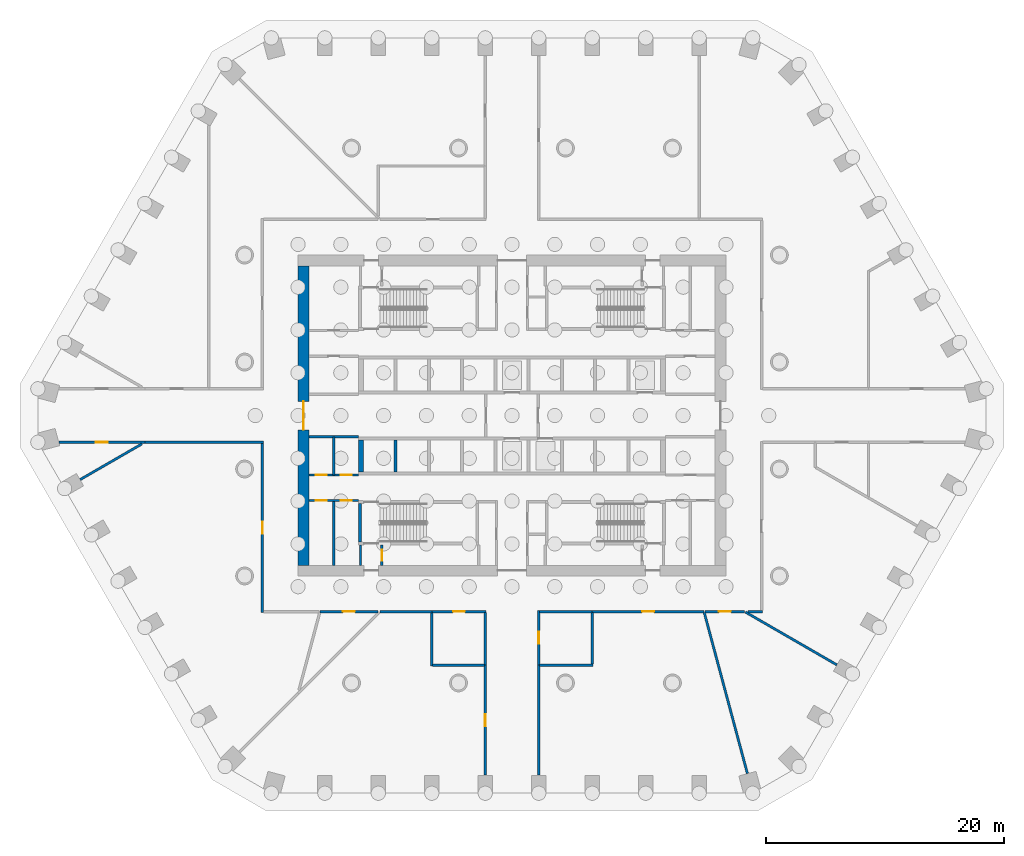
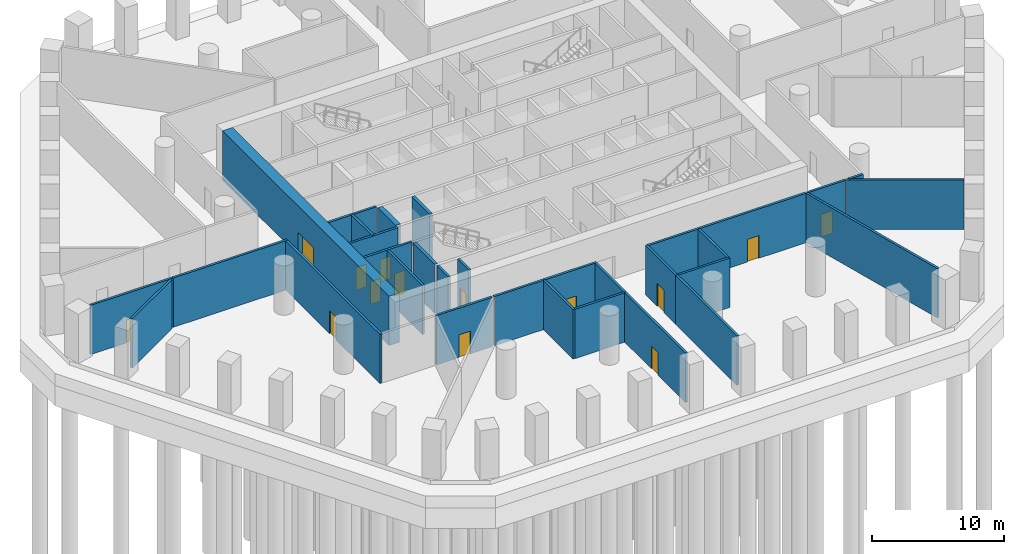
# One storey, part 3 of 9: 32 walls, 14 doors, 14 openings.
"""IFC4 building model written with IfcOpenShell, lengths in metres."""

from ifc_helpers import new_model, si_unit, direction, frame, frame_2d, origin, place, context, subcontext, project, spatial, polyline, rectangle, outline, extrude, material, layer, layer_set, type_object, element, fill, save


model = new_model("IFC4")

# Units and contexts
model_context = context("Model", 3, precision=1e-05, world=origin(), true_north=direction((0.0, 1.0)))
body_context = subcontext(model_context, "Body", "Model", "MODEL_VIEW")
ifc_project = project(units=[si_unit("LENGTHUNIT", "METRE"), si_unit("AREAUNIT", "SQUARE_METRE"), si_unit("VOLUMEUNIT", "CUBIC_METRE"), si_unit("PLANEANGLEUNIT", "RADIAN"), si_unit("MASSUNIT", "GRAM", prefix="KILO")], contexts=[model_context])

# Site, building, storey
site_placement = place(None, origin())
site = spatial("IfcSite", under=ifc_project, at=site_placement, CompositionType="ELEMENT")
building_placement = place(site_placement, origin())
building = spatial("IfcBuilding", under=site, at=building_placement, Name="Dhurran Vertical Campus", CompositionType="ELEMENT")
storey_placement = place(building_placement, frame((0.0, 0.0, -5.0)))
storey = spatial("IfcBuildingStorey", under=building, at=storey_placement, Name="B1", CompositionType="ELEMENT", Elevation=-5.0)

# Wall, opening, door
ifc_material_1 = material(Name="Concrete blockwork plant room wall, fire-rated", Category="masonry")
ifc_layer_1 = layer(ifc_material_1, 0.199951171875)
ifc_layer_set_1 = layer_set([ifc_layer_1], Name="Concrete blockwork plant room wall, fire-rated")
wall_type_1 = type_object("IfcWallType", Name="bs-PW-200 plant room wall", PredefinedType="PARTITIONING", material=ifc_layer_set_1)
wall_1_placement = place(storey_placement, frame((-30.89697265625, -2.25, 0.0), z_axis=(0.0, 0.0, 1.0), x_axis=(-1.0, 0.0, 0.0)))
wall_1 = element("IfcWall", 1, at=wall_1_placement, inside=storey, type_object=wall_type_1, Name="Plant wall B1-01", PredefinedType="PARTITIONING", context=body_context, shape_type="SweptSolid", body=[
    extrude(rectangle(XDim=7.218505859375, YDim=0.199951171875, at=frame_2d((3.609375, 0.0))), origin(), (0.0, 0.0, 1.0), 4.550048828125),
])
opening_1_placement = place(wall_1_placement, frame((3.109130859375, 0.0, 0.0)))
opening_1 = element("IfcOpeningElement", 2, at=opening_1_placement, cuts=wall_1, Name="Opening BS.01", PredefinedType="OPENING", context=body_context, shape_type="SweptSolid", body=[
    extrude(rectangle(XDim=1.0, YDim=2.10009765625, at=frame_2d((0.5, 1.050048828125))), frame((0.0, 0.10986328125, 0.0), z_axis=(0.0, -1.0, 0.0), x_axis=(1.0, 0.0, 0.0)), (0.0, 0.0, 1.0), 0.219970703125),
])
ifc_material_2 = material(Name="Solid-core timber door set, fire-rated", Category="wood")
door_type_1 = type_object("IfcDoorType", Name="fl-D-1000x2100", OperationType="SINGLE_SWING_LEFT", PredefinedType="DOOR", material=ifc_material_2)
door_1_placement = place(opening_1_placement, origin())
door_1 = element("IfcDoor", 3, at=door_1_placement, inside=storey, type_object=door_type_1, Name="Door B1.01", OperationType="SINGLE_SWING_RIGHT", OverallHeight=2.10009765625, OverallWidth=1.0, PredefinedType="DOOR", context=body_context, shape_type="SweptSolid", body=[
    extrude(rectangle(XDim=1.0, YDim=2.10009765625, at=frame_2d((0.5, 1.050048828125))), frame((0.0, 0.02490234375, 0.0), z_axis=(0.0, -1.0, 0.0), x_axis=(1.0, 0.0, 0.0)), (0.0, 0.0, 1.0), 0.050048828125),
])
fill(opening_1, door_1)

# Walls
wall_2_placement = place(storey_placement, frame((-31.13525390625, -2.387451171875, 0.0), z_axis=(0.0, 0.0, 1.0), x_axis=(-0.866018198007, -0.500012480565, 0.0)))
element("IfcWall", 4, at=wall_2_placement, inside=storey, type_object=wall_type_1, Name="Plant wall B1-03", PredefinedType="PARTITIONING", context=body_context, shape_type="SweptSolid", body=[
    extrude(rectangle(XDim=5.999267578125, YDim=0.199951171875, at=frame_2d((2.99951171875, 0.0))), origin(), (0.0, 0.0, 1.0), 4.550048828125),
])
wall_3_placement = place(storey_placement, frame((-20.925048828125, -2.25, 0.0), z_axis=(0.0, 0.0, 1.0), x_axis=(-1.0, 0.0, 0.0)))
element("IfcWall", 5, at=wall_3_placement, inside=storey, type_object=wall_type_1, Name="Plant wall B1-05", PredefinedType="PARTITIONING", context=body_context, shape_type="SweptSolid", body=[
    extrude(rectangle(XDim=9.971923828125, YDim=0.199951171875, at=frame_2d((4.98583984375, 0.0))), origin(), (0.0, 0.0, 1.0), 4.550048828125),
])

# Wall, opening, door
wall_4_placement = place(storey_placement, frame((-21.0, -2.324951171875, 0.0), z_axis=(0.0, 0.0, 1.0), x_axis=(0.0, -1.0, 0.0)))
wall_4 = element("IfcWall", 6, at=wall_4_placement, inside=storey, type_object=wall_type_1, Name="Plant wall B1-11", PredefinedType="PARTITIONING", context=body_context, shape_type="SweptSolid", body=[
    extrude(rectangle(XDim=14.25, YDim=0.199951171875, at=frame_2d((7.125, 0.0))), origin(), (0.0, 0.0, 1.0), 4.550048828125),
])
opening_2_placement = place(wall_4_placement, frame((6.625, 0.0, 0.0)))
opening_2 = element("IfcOpeningElement", 7, at=opening_2_placement, cuts=wall_4, Name="Opening BS.04", PredefinedType="OPENING", context=body_context, shape_type="SweptSolid", body=[
    extrude(rectangle(XDim=1.0, YDim=2.10009765625, at=frame_2d((0.5, 1.050048828125))), frame((0.0, 0.10986328125, 0.0), z_axis=(0.0, -1.0, 0.0), x_axis=(1.0, 0.0, 0.0)), (0.0, 0.0, 1.0), 0.219970703125),
])
door_2_placement = place(opening_2_placement, origin())
door_2 = element("IfcDoor", 8, at=door_2_placement, inside=storey, type_object=door_type_1, Name="Door B1.04", OperationType="SINGLE_SWING_RIGHT", OverallHeight=2.10009765625, OverallWidth=1.0, PredefinedType="DOOR", context=body_context, shape_type="SweptSolid", body=[
    extrude(rectangle(XDim=1.0, YDim=2.10009765625, at=frame_2d((0.5, 1.050048828125))), frame((0.0, 0.02490234375, 0.0), z_axis=(0.0, -1.0, 0.0), x_axis=(1.0, 0.0, 0.0)), (0.0, 0.0, 1.0), 0.050048828125),
])
fill(opening_2, door_2)

wall_5_placement = place(storey_placement, frame((-16.156005859375, -16.5, 0.0), z_axis=(0.0, 0.0, 1.0), x_axis=(1.0, 0.0, 0.0)))
wall_5 = element("IfcWall", 9, at=wall_5_placement, inside=storey, type_object=wall_type_1, Name="Plant wall B1-17", PredefinedType="PARTITIONING", context=body_context, shape_type="SweptSolid", body=[
    extrude(rectangle(XDim=4.864013671875, YDim=0.199951171875, at=frame_2d((2.43212890625, 0.0))), origin(), (0.0, 0.0, 1.0), 4.550048828125),
])
opening_3_placement = place(wall_5_placement, frame((1.931884765625, 0.0, 0.0)))
opening_3 = element("IfcOpeningElement", 10, at=opening_3_placement, cuts=wall_5, Name="Opening BS.06", PredefinedType="OPENING", context=body_context, shape_type="SweptSolid", body=[
    extrude(rectangle(XDim=1.0, YDim=2.10009765625, at=frame_2d((0.5, 1.050048828125))), frame((0.0, 0.10986328125, 0.0), z_axis=(0.0, -1.0, 0.0), x_axis=(1.0, 0.0, 0.0)), (0.0, 0.0, 1.0), 0.219970703125),
])
door_3_placement = place(opening_3_placement, origin())
door_3 = element("IfcDoor", 11, at=door_3_placement, inside=storey, type_object=door_type_1, Name="Door B1.06", OperationType="SINGLE_SWING_RIGHT", OverallHeight=2.10009765625, OverallWidth=1.0, PredefinedType="DOOR", context=body_context, shape_type="SweptSolid", body=[
    extrude(rectangle(XDim=1.0, YDim=2.10009765625, at=frame_2d((0.5, 1.050048828125))), frame((0.0, 0.02490234375, 0.0), z_axis=(0.0, -1.0, 0.0), x_axis=(1.0, 0.0, 0.0)), (0.0, 0.0, 1.0), 0.050048828125),
])
fill(opening_3, door_3)

# Walls
wall_6_placement = place(storey_placement, frame((-11.116943359375, -16.5, 0.0), z_axis=(0.0, 0.0, 1.0), x_axis=(1.0, 0.0, 0.0)))
element("IfcWall", 12, at=wall_6_placement, inside=storey, type_object=wall_type_1, Name="Plant wall B1-20", PredefinedType="PARTITIONING", context=body_context, shape_type="SweptSolid", body=[
    extrude(rectangle(XDim=4.366943359375, YDim=0.199951171875, at=frame_2d((2.18359375, 0.0))), origin(), (0.0, 0.0, 1.0), 4.550048828125),
])
wall_7_placement = place(storey_placement, frame((-6.75, -16.574951171875, 0.0), z_axis=(0.0, 0.0, 1.0), x_axis=(0.0, -1.0, 0.0)))
element("IfcWall", 13, at=wall_7_placement, inside=storey, type_object=wall_type_1, Name="Plant wall B1-22", PredefinedType="PARTITIONING", context=body_context, shape_type="SweptSolid", body=[
    extrude(rectangle(XDim=4.5, YDim=0.199951171875, at=frame_2d((2.25, 0.0))), origin(), (0.0, 0.0, 1.0), 4.550048828125),
])
wall_8_placement = place(storey_placement, frame((-6.675048828125, -21.0, 0.0), z_axis=(0.0, 0.0, 1.0), x_axis=(1.0, 0.0, 0.0)))
element("IfcWall", 14, at=wall_8_placement, inside=storey, type_object=wall_type_1, Name="Plant wall B1-23", PredefinedType="PARTITIONING", context=body_context, shape_type="SweptSolid", body=[
    extrude(rectangle(XDim=4.35009765625, YDim=0.199951171875, at=frame_2d((2.175048828125, 0.0))), origin(), (0.0, 0.0, 1.0), 4.550048828125),
])

# Wall, opening, door
wall_9_placement = place(storey_placement, frame((-6.75, -16.5, 0.0), z_axis=(0.0, 0.0, 1.0), x_axis=(1.0, 0.0, 0.0)))
wall_9 = element("IfcWall", 15, at=wall_9_placement, inside=storey, type_object=wall_type_1, Name="Plant wall B1-24", PredefinedType="PARTITIONING", context=body_context, shape_type="SweptSolid", body=[
    extrude(rectangle(XDim=4.574951171875, YDim=0.199951171875, at=frame_2d((2.28759765625, 0.0))), origin(), (0.0, 0.0, 1.0), 4.550048828125),
])
opening_4_placement = place(wall_9_placement, frame((1.78759765625, 0.0, 0.0)))
opening_4 = element("IfcOpeningElement", 16, at=opening_4_placement, cuts=wall_9, Name="Opening BS.10", PredefinedType="OPENING", context=body_context, shape_type="SweptSolid", body=[
    extrude(rectangle(XDim=1.0, YDim=2.10009765625, at=frame_2d((0.5, 1.050048828125))), frame((0.0, 0.10986328125, 0.0), z_axis=(0.0, -1.0, 0.0), x_axis=(1.0, 0.0, 0.0)), (0.0, 0.0, 1.0), 0.219970703125),
])
door_4_placement = place(opening_4_placement, origin())
door_4 = element("IfcDoor", 17, at=door_4_placement, inside=storey, type_object=door_type_1, Name="Door B1.10", OperationType="SINGLE_SWING_LEFT", OverallHeight=2.10009765625, OverallWidth=1.0, PredefinedType="DOOR", context=body_context, shape_type="SweptSolid", body=[
    extrude(rectangle(XDim=1.0, YDim=2.10009765625, at=frame_2d((0.5, 1.050048828125))), frame((0.0, 0.02490234375, 0.0), z_axis=(0.0, -1.0, 0.0), x_axis=(1.0, 0.0, 0.0)), (0.0, 0.0, 1.0), 0.050048828125),
])
fill(opening_4, door_4)

wall_10_placement = place(storey_placement, frame((-2.25, -30.259765625, 0.0), z_axis=(0.0, 0.0, 1.0), x_axis=(0.0, 1.0, 0.0)))
wall_10 = element("IfcWall", 18, at=wall_10_placement, inside=storey, type_object=wall_type_1, Name="Plant wall B1-25", PredefinedType="PARTITIONING", context=body_context, shape_type="SweptSolid", body=[
    extrude(rectangle(XDim=9.259765625, YDim=0.199951171875, at=frame_2d((4.6298828125, 0.0))), origin(), (0.0, 0.0, 1.0), 4.550048828125),
])
opening_5_placement = place(wall_10_placement, frame((4.1298828125, 0.0, 0.0)))
opening_5 = element("IfcOpeningElement", 19, at=opening_5_placement, cuts=wall_10, Name="Opening BS.08", PredefinedType="OPENING", context=body_context, shape_type="SweptSolid", body=[
    extrude(rectangle(XDim=1.0, YDim=2.10009765625, at=frame_2d((0.5, 1.050048828125))), frame((0.0, 0.10986328125, 0.0), z_axis=(0.0, -1.0, 0.0), x_axis=(1.0, 0.0, 0.0)), (0.0, 0.0, 1.0), 0.219970703125),
])
door_5_placement = place(opening_5_placement, origin())
door_5 = element("IfcDoor", 20, at=door_5_placement, inside=storey, type_object=door_type_1, Name="Door B1.08", OperationType="SINGLE_SWING_LEFT", OverallHeight=2.10009765625, OverallWidth=1.0, PredefinedType="DOOR", context=body_context, shape_type="SweptSolid", body=[
    extrude(rectangle(XDim=1.0, YDim=2.10009765625, at=frame_2d((0.5, 1.050048828125))), frame((0.0, 0.02490234375, 0.0), z_axis=(0.0, -1.0, 0.0), x_axis=(1.0, 0.0, 0.0)), (0.0, 0.0, 1.0), 0.050048828125),
])
fill(opening_5, door_5)

# Walls
wall_11_placement = place(storey_placement, frame((-2.25, -21.0, 0.0), z_axis=(0.0, 0.0, 1.0), x_axis=(0.0, 1.0, 0.0)))
element("IfcWall", 21, at=wall_11_placement, inside=storey, type_object=wall_type_1, Name="Plant wall B1-26", PredefinedType="PARTITIONING", context=body_context, shape_type="SweptSolid", body=[
    extrude(rectangle(XDim=4.425048828125, YDim=0.199951171875, at=frame_2d((2.21240234375, 0.0))), origin(), (0.0, 0.0, 1.0), 4.550048828125),
])
wall_12_placement = place(storey_placement, frame((2.25, -21.0, 0.0), z_axis=(0.0, 0.0, 1.0), x_axis=(0.0, -1.0, 0.0)))
element("IfcWall", 22, at=wall_12_placement, inside=storey, type_object=wall_type_1, Name="Plant wall B1-29", PredefinedType="PARTITIONING", context=body_context, shape_type="SweptSolid", body=[
    extrude(rectangle(XDim=9.259765625, YDim=0.199951171875, at=frame_2d((4.6298828125, 0.0))), origin(), (0.0, 0.0, 1.0), 4.550048828125),
])

# Wall, opening, door
wall_13_placement = place(storey_placement, frame((2.25, -16.425048828125, 0.0), z_axis=(0.0, 0.0, 1.0), x_axis=(0.0, -1.0, 0.0)))
wall_13 = element("IfcWall", 23, at=wall_13_placement, inside=storey, type_object=wall_type_1, Name="Plant wall B1-30", PredefinedType="PARTITIONING", context=body_context, shape_type="SweptSolid", body=[
    extrude(rectangle(XDim=4.574951171875, YDim=0.199951171875, at=frame_2d((2.28759765625, 0.0))), origin(), (0.0, 0.0, 1.0), 4.550048828125),
])
opening_6_placement = place(wall_13_placement, frame((1.78759765625, 0.0, 0.0)))
opening_6 = element("IfcOpeningElement", 24, at=opening_6_placement, cuts=wall_13, Name="Opening BS.11", PredefinedType="OPENING", context=body_context, shape_type="SweptSolid", body=[
    extrude(rectangle(XDim=1.0, YDim=2.10009765625, at=frame_2d((0.5, 1.050048828125))), frame((0.0, 0.10986328125, 0.0), z_axis=(0.0, -1.0, 0.0), x_axis=(1.0, 0.0, 0.0)), (0.0, 0.0, 1.0), 0.219970703125),
])
door_6_placement = place(opening_6_placement, origin())
door_6 = element("IfcDoor", 25, at=door_6_placement, inside=storey, type_object=door_type_1, Name="Door B1.11", OperationType="SINGLE_SWING_RIGHT", OverallHeight=2.10009765625, OverallWidth=1.0, PredefinedType="DOOR", context=body_context, shape_type="SweptSolid", body=[
    extrude(rectangle(XDim=1.0, YDim=2.10009765625, at=frame_2d((0.5, 1.050048828125))), frame((0.0, 0.02490234375, 0.0), z_axis=(0.0, -1.0, 0.0), x_axis=(1.0, 0.0, 0.0)), (0.0, 0.0, 1.0), 0.050048828125),
])
fill(opening_6, door_6)

# Walls
wall_14_placement = place(storey_placement, frame((6.824951171875, -21.0, 0.0), z_axis=(0.0, 0.0, 1.0), x_axis=(-1.0, 0.0, 0.0)))
element("IfcWall", 26, at=wall_14_placement, inside=storey, type_object=wall_type_1, Name="Plant wall B1-31", PredefinedType="PARTITIONING", context=body_context, shape_type="SweptSolid", body=[
    extrude(rectangle(XDim=4.5, YDim=0.199951171875, at=frame_2d((2.25, 0.0))), origin(), (0.0, 0.0, 1.0), 4.550048828125),
])
wall_15_placement = place(storey_placement, frame((2.324951171875, -16.5, 0.0), z_axis=(0.0, 0.0, 1.0), x_axis=(1.0, 0.0, 0.0)))
element("IfcWall", 27, at=wall_15_placement, inside=storey, type_object=wall_type_1, Name="Plant wall B1-32", PredefinedType="PARTITIONING", context=body_context, shape_type="SweptSolid", body=[
    extrude(rectangle(XDim=4.425048828125, YDim=0.199951171875, at=frame_2d((2.21240234375, 0.0))), origin(), (0.0, 0.0, 1.0), 4.550048828125),
])
wall_16_placement = place(storey_placement, frame((6.75, -16.574951171875, 0.0), z_axis=(0.0, 0.0, 1.0), x_axis=(0.0, -1.0, 0.0)))
element("IfcWall", 28, at=wall_16_placement, inside=storey, type_object=wall_type_1, Name="Plant wall B1-35", PredefinedType="PARTITIONING", context=body_context, shape_type="SweptSolid", body=[
    extrude(rectangle(XDim=4.35009765625, YDim=0.199951171875, at=frame_2d((2.175048828125, 0.0))), origin(), (0.0, 0.0, 1.0), 4.550048828125),
])

# Wall, opening, door
wall_17_placement = place(storey_placement, frame((6.75, -16.5, 0.0), z_axis=(0.0, 0.0, 1.0), x_axis=(1.0, 0.0, 0.0)))
wall_17 = element("IfcWall", 29, at=wall_17_placement, inside=storey, type_object=wall_type_1, Name="Plant wall B1-36", PredefinedType="PARTITIONING", context=body_context, shape_type="SweptSolid", body=[
    extrude(rectangle(XDim=9.406005859375, YDim=0.199951171875, at=frame_2d((4.703125, 0.0))), origin(), (0.0, 0.0, 1.0), 4.550048828125),
])
opening_7_placement = place(wall_17_placement, frame((4.202880859375, 0.0, 0.0)))
opening_7 = element("IfcOpeningElement", 30, at=opening_7_placement, cuts=wall_17, Name="Opening BS.13", PredefinedType="OPENING", context=body_context, shape_type="SweptSolid", body=[
    extrude(rectangle(XDim=1.0, YDim=2.10009765625, at=frame_2d((0.5, 1.050048828125))), frame((0.0, 0.10986328125, 0.0), z_axis=(0.0, -1.0, 0.0), x_axis=(1.0, 0.0, 0.0)), (0.0, 0.0, 1.0), 0.219970703125),
])
door_7_placement = place(opening_7_placement, origin())
door_7 = element("IfcDoor", 31, at=door_7_placement, inside=storey, type_object=door_type_1, Name="Door B1.13", OperationType="SINGLE_SWING_LEFT", OverallHeight=2.10009765625, OverallWidth=1.0, PredefinedType="DOOR", context=body_context, shape_type="SweptSolid", body=[
    extrude(rectangle(XDim=1.0, YDim=2.10009765625, at=frame_2d((0.5, 1.050048828125))), frame((0.0, 0.02490234375, 0.0), z_axis=(0.0, -1.0, 0.0), x_axis=(1.0, 0.0, 0.0)), (0.0, 0.0, 1.0), 0.050048828125),
])
fill(opening_7, door_7)

wall_18_placement = place(storey_placement, frame((16.2509765625, -16.5, 0.0), z_axis=(0.0, 0.0, 1.0), x_axis=(1.0, 0.0, 0.0)))
wall_18 = element("IfcWall", 32, at=wall_18_placement, inside=storey, type_object=wall_type_1, Name="Plant wall B1-39", PredefinedType="PARTITIONING", context=body_context, shape_type="SweptSolid", body=[
    extrude(rectangle(XDim=3.328125, YDim=0.199951171875, at=frame_2d((1.6640625, 0.0))), origin(), (0.0, 0.0, 1.0), 4.550048828125),
])
opening_8_placement = place(wall_18_placement, frame((1.1640625, 0.0, 0.0)))
opening_8 = element("IfcOpeningElement", 33, at=opening_8_placement, cuts=wall_18, Name="Opening BS.14", PredefinedType="OPENING", context=body_context, shape_type="SweptSolid", body=[
    extrude(rectangle(XDim=1.0, YDim=2.10009765625, at=frame_2d((0.5, 1.050048828125))), frame((0.0, 0.10986328125, 0.0), z_axis=(0.0, -1.0, 0.0), x_axis=(1.0, 0.0, 0.0)), (0.0, 0.0, 1.0), 0.219970703125),
])
door_8_placement = place(opening_8_placement, origin())
door_8 = element("IfcDoor", 34, at=door_8_placement, inside=storey, type_object=door_type_1, Name="Door B1.14", OperationType="SINGLE_SWING_RIGHT", OverallHeight=2.10009765625, OverallWidth=1.0, PredefinedType="DOOR", context=body_context, shape_type="SweptSolid", body=[
    extrude(rectangle(XDim=1.0, YDim=2.10009765625, at=frame_2d((0.5, 1.050048828125))), frame((0.0, 0.02490234375, 0.0), z_axis=(0.0, -1.0, 0.0), x_axis=(1.0, 0.0, 0.0)), (0.0, 0.0, 1.0), 0.050048828125),
])
fill(opening_8, door_8)

# Walls
wall_19_placement = place(storey_placement, frame((16.17529296875, -16.572509765625, 0.0), z_axis=(0.0, 0.0, 1.0), x_axis=(0.258838193525, -0.965920695281, 0.0)))
element("IfcWall", 35, at=wall_19_placement, inside=storey, type_object=wall_type_1, Name="Plant wall B1-40", PredefinedType="PARTITIONING", context=body_context, shape_type="SweptSolid", body=[
    extrude(rectangle(XDim=14.022705078125, YDim=0.199951171875, at=frame_2d((7.01123046875, 0.0))), origin(), (0.0, 0.0, 1.0), 4.550048828125),
])
wall_20_placement = place(storey_placement, frame((19.85400390625, -16.5, 0.0), z_axis=(0.0, 0.0, 1.0), x_axis=(1.0, 0.0, 0.0)))
element("IfcWall", 36, at=wall_20_placement, inside=storey, type_object=wall_type_1, Name="Plant wall B1-41", PredefinedType="PARTITIONING", context=body_context, shape_type="SweptSolid", body=[
    extrude(rectangle(XDim=1.220947265625, YDim=0.199951171875, at=frame_2d((0.6103515625, 0.0))), origin(), (0.0, 0.0, 1.0), 4.550048828125),
])
wall_21_placement = place(storey_placement, frame((19.643798828125, -16.53759765625, 0.0), z_axis=(0.0, 0.0, 1.0), x_axis=(0.866000072607, -0.50004387232, 0.0)))
element("IfcWall", 37, at=wall_21_placement, inside=storey, type_object=wall_type_1, Name="Plant wall B1-42", PredefinedType="PARTITIONING", context=body_context, shape_type="SweptSolid", body=[
    extrude(rectangle(XDim=8.876220703125, YDim=0.199951171875, at=frame_2d((4.43798828125, 0.0))), origin(), (0.0, 0.0, 1.0), 4.550048828125),
])

# Wall, opening, door
ifc_material_3 = material(Name="Concrete C60/75", Category="concrete")
ifc_layer_2 = layer(ifc_material_3, 0.89990234375)
ifc_layer_set_2 = layer_set([ifc_layer_2], Name="Concrete C60/75")
wall_type_2 = type_object("IfcWallType", Name="co-CORE-WALL-C0-900", PredefinedType="SHEAR", material=ifc_layer_set_2)
wall_22_placement = place(storey_placement, frame((-17.550048828125, -12.60009765625, 0.0), z_axis=(0.0, 0.0, 1.0), x_axis=(0.0, 1.0, 0.0)))
wall_22 = element("IfcWall", 38, at=wall_22_placement, inside=storey, type_object=wall_type_2, Name="Core wall W B1", PredefinedType="SHEAR", context=body_context, shape_type="SweptSolid", body=[
    extrude(rectangle(XDim=25.2001953125, YDim=0.89990234375, at=frame_2d((12.60009765625, 0.0))), origin(), (0.0, 0.0, 1.0), 4.550048828125),
])
opening_9_placement = place(wall_22_placement, frame((11.39990234375, 0.0, 0.0)))
opening_9 = element("IfcOpeningElement", 39, at=opening_9_placement, cuts=wall_22, Name="Opening CL1", PredefinedType="OPENING", context=body_context, shape_type="SweptSolid", body=[
    extrude(rectangle(XDim=2.39990234375, YDim=2.10009765625, at=frame_2d((1.199951171875, 1.050048828125))), frame((0.0, 0.4599609375, 0.0), z_axis=(0.0, -1.0, 0.0), x_axis=(1.0, 0.0, 0.0)), (0.0, 0.0, 1.0), 0.919921875),
])
ifc_material_4 = material(Name="Fire-rated glazed door set")
door_type_2 = type_object("IfcDoorType", Name="co-D-LOBBY 2400x2100", OperationType="DOUBLE_DOOR_DOUBLE_SWING", PredefinedType="DOOR", material=ifc_material_4)
door_9_placement = place(opening_9_placement, origin())
door_9 = element("IfcDoor", 40, at=door_9_placement, inside=storey, type_object=door_type_2, Name="Lift lobby door W B1", OperationType="DOUBLE_DOOR_DOUBLE_SWING", OverallHeight=2.10009765625, OverallWidth=2.39990234375, PredefinedType="DOOR", context=body_context, shape_type="SweptSolid", body=[
    extrude(rectangle(XDim=2.39990234375, YDim=2.10009765625, at=frame_2d((1.199951171875, 1.050048828125))), frame((0.0, 0.02490234375, 0.0), z_axis=(0.0, -1.0, 0.0), x_axis=(1.0, 0.0, 0.0)), (0.0, 0.0, 1.0), 0.050048828125),
])
fill(opening_9, door_9)

# Wall
ifc_material_5 = material(Name="Fire-rated masonry blockwork", Category="masonry")
ifc_layer_3 = layer(ifc_material_5, 0.199951171875)
ifc_layer_set_3 = layer_set([ifc_layer_3], Name="Fire-rated masonry blockwork")
wall_type_3 = type_object("IfcWallType", Name="co-FIRE-PARTITION-200", PredefinedType="PARTITIONING", material=ifc_layer_set_3)
wall_23_placement = place(storey_placement, frame((-12.75, -12.60009765625, 0.0), z_axis=(0.0, 0.0, 1.0), x_axis=(0.0, 1.0, 0.0)))
element("IfcWall", 41, at=wall_23_placement, inside=storey, type_object=wall_type_3, Name="Core partition pass-ST3-o B1", PredefinedType="PARTITIONING", context=body_context, shape_type="SweptSolid", body=[
    extrude(rectangle(XDim=1.7001953125, YDim=0.199951171875, at=frame_2d((0.85009765625, 0.0))), origin(), (0.0, 0.0, 1.0), 4.550048828125),
])

# Wall, opening, door
wall_24_placement = place(storey_placement, frame((-10.949951171875, -12.60009765625, 0.0), z_axis=(0.0, 0.0, 1.0), x_axis=(0.0, 1.0, 0.0)))
wall_24 = element("IfcWall", 42, at=wall_24_placement, inside=storey, type_object=wall_type_3, Name="Core partition pass-ST3-i B1", PredefinedType="PARTITIONING", context=body_context, shape_type="SweptSolid", body=[
    extrude(rectangle(XDim=1.7001953125, YDim=0.199951171875, at=frame_2d((0.85009765625, 0.0))), origin(), (0.0, 0.0, 1.0), 4.550048828125),
])
opening_10_placement = place(wall_24_placement, frame((0.39990234375, 0.0, 0.0)))
opening_10 = element("IfcOpeningElement", 43, at=opening_10_placement, cuts=wall_24, Name="Opening BSMT-C9", PredefinedType="OPENING", context=body_context, shape_type="SweptSolid", body=[
    extrude(rectangle(XDim=0.89990234375, YDim=2.10009765625, at=frame_2d((0.449951171875, 1.050048828125))), frame((0.0, 0.10986328125, 0.0), z_axis=(0.0, -1.0, 0.0), x_axis=(1.0, 0.0, 0.0)), (0.0, 0.0, 1.0), 0.219970703125),
])
ifc_material_6 = material(Name="Fire-rated timber door set", Category="wood")
door_type_3 = type_object("IfcDoorType", Name="co-D-ROOM 900x2100", OperationType="SINGLE_SWING_LEFT", PredefinedType="DOOR", material=ifc_material_6)
door_10_placement = place(opening_10_placement, origin())
door_10 = element("IfcDoor", 44, at=door_10_placement, inside=storey, type_object=door_type_3, Name="Riser room door B1", OperationType="SINGLE_SWING_LEFT", OverallHeight=2.10009765625, OverallWidth=0.89990234375, PredefinedType="DOOR", context=body_context, shape_type="SweptSolid", body=[
    extrude(rectangle(XDim=0.89990234375, YDim=2.10009765625, at=frame_2d((0.449951171875, 1.050048828125))), frame((0.0, 0.02490234375, 0.0), z_axis=(0.0, -1.0, 0.0), x_axis=(1.0, 0.0, 0.0)), (0.0, 0.0, 1.0), 0.050048828125),
])
fill(opening_10, door_10)

# Wall
wall_25_placement = place(storey_placement, frame((-15.0, -12.60009765625, 0.0), z_axis=(0.0, 0.0, 1.0), x_axis=(0.0, 1.0, 0.0)))
element("IfcWall", 45, at=wall_25_placement, inside=storey, type_object=wall_type_3, Name="Core partition en-SW-cut0 B1", PredefinedType="PARTITIONING", context=body_context, shape_type="SweptSolid", body=[
    extrude(rectangle(XDim=5.4501953125, YDim=0.199951171875, at=frame_2d((2.72509765625, 0.0))), origin(), (0.0, 0.0, 1.0), 4.550048828125),
])

# Wall, openings, doors
wall_26_placement = place(storey_placement, frame((-17.10009765625, -7.14990234375, 0.0), z_axis=(0.0, 0.0, 1.0), x_axis=(1.0, 0.0, 0.0)))
wall_26 = element("IfcWall", 46, at=wall_26_placement, inside=storey, type_object=wall_type_3, Name="Core partition en-SW-w B1", PredefinedType="PARTITIONING", context=body_context, shape_type="SweptSolid", body=[
    extrude(rectangle(XDim=4.2001953125, YDim=0.199951171875, at=frame_2d((2.10009765625, 0.0))), origin(), (0.0, 0.0, 1.0), 4.550048828125),
])
opening_11_placement = place(wall_26_placement, frame((0.60009765625, 0.0, 0.0)))
opening_11 = element("IfcOpeningElement", 47, at=opening_11_placement, cuts=wall_26, Name="Opening BSMT-C16", PredefinedType="OPENING", context=body_context, shape_type="SweptSolid", body=[
    extrude(rectangle(XDim=0.89990234375, YDim=2.10009765625, at=frame_2d((0.449951171875, 1.050048828125))), frame((0.0, 0.10986328125, 0.0), z_axis=(0.0, -1.0, 0.0), x_axis=(1.0, 0.0, 0.0)), (0.0, 0.0, 1.0), 0.219970703125),
])
opening_12_placement = place(wall_26_placement, frame((2.699951171875, 0.0, 0.0)))
opening_12 = element("IfcOpeningElement", 48, at=opening_12_placement, cuts=wall_26, Name="Opening BSMT-C17", PredefinedType="OPENING", context=body_context, shape_type="SweptSolid", body=[
    extrude(rectangle(XDim=0.89990234375, YDim=2.10009765625, at=frame_2d((0.449951171875, 1.050048828125))), frame((0.0, 0.10986328125, 0.0), z_axis=(0.0, -1.0, 0.0), x_axis=(1.0, 0.0, 0.0)), (0.0, 0.0, 1.0), 0.219970703125),
])
door_11_placement = place(opening_11_placement, origin())
door_11 = element("IfcDoor", 49, at=door_11_placement, inside=storey, type_object=door_type_3, Name="Server room door B1", OperationType="SINGLE_SWING_LEFT", OverallHeight=2.10009765625, OverallWidth=0.89990234375, PredefinedType="DOOR", context=body_context, shape_type="SweptSolid", body=[
    extrude(rectangle(XDim=0.89990234375, YDim=2.10009765625, at=frame_2d((0.449951171875, 1.050048828125))), frame((0.0, 0.02490234375, 0.0), z_axis=(0.0, -1.0, 0.0), x_axis=(1.0, 0.0, 0.0)), (0.0, 0.0, 1.0), 0.050048828125),
])
fill(opening_11, door_11)
door_12_placement = place(opening_12_placement, origin())
door_12 = element("IfcDoor", 50, at=door_12_placement, inside=storey, type_object=door_type_3, Name="Fire equipment store door B1", OperationType="SINGLE_SWING_LEFT", OverallHeight=2.10009765625, OverallWidth=0.89990234375, PredefinedType="DOOR", context=body_context, shape_type="SweptSolid", body=[
    extrude(rectangle(XDim=0.89990234375, YDim=2.10009765625, at=frame_2d((0.449951171875, 1.050048828125))), frame((0.0, 0.02490234375, 0.0), z_axis=(0.0, -1.0, 0.0), x_axis=(1.0, 0.0, 0.0)), (0.0, 0.0, 1.0), 0.050048828125),
])
fill(opening_12, door_12)

# Wall
wall_27_placement = place(storey_placement, frame((-15.0, -5.0, 0.0), z_axis=(0.0, 0.0, 1.0), x_axis=(0.0, 1.0, 0.0)))
element("IfcWall", 51, at=wall_27_placement, inside=storey, type_object=wall_type_3, Name="Core partition es-SW-cut0 B1", PredefinedType="PARTITIONING", context=body_context, shape_type="SweptSolid", body=[
    extrude(rectangle(XDim=3.199951171875, YDim=0.199951171875, at=frame_2d((1.60009765625, 0.0))), origin(), (0.0, 0.0, 1.0), 4.550048828125),
])

# Wall, openings, doors
wall_28_placement = place(storey_placement, frame((-17.10009765625, -5.0, 0.0), z_axis=(0.0, 0.0, 1.0), x_axis=(1.0, 0.0, 0.0)))
wall_28 = element("IfcWall", 52, at=wall_28_placement, inside=storey, type_object=wall_type_3, Name="Core partition es-SW-w B1", PredefinedType="PARTITIONING", context=body_context, shape_type="SweptSolid", body=[
    extrude(rectangle(XDim=4.2001953125, YDim=0.199951171875, at=frame_2d((2.10009765625, 0.0))), origin(), (0.0, 0.0, 1.0), 4.550048828125),
])
opening_13_placement = place(wall_28_placement, frame((0.60009765625, 0.0, 0.0)))
opening_13 = element("IfcOpeningElement", 53, at=opening_13_placement, cuts=wall_28, Name="Opening BSMT-C18", PredefinedType="OPENING", context=body_context, shape_type="SweptSolid", body=[
    extrude(rectangle(XDim=0.89990234375, YDim=2.10009765625, at=frame_2d((0.449951171875, 1.050048828125))), frame((0.0, 0.10986328125, 0.0), z_axis=(0.0, -1.0, 0.0), x_axis=(1.0, 0.0, 0.0)), (0.0, 0.0, 1.0), 0.219970703125),
])
opening_14_placement = place(wall_28_placement, frame((2.699951171875, 0.0, 0.0)))
opening_14 = element("IfcOpeningElement", 54, at=opening_14_placement, cuts=wall_28, Name="Opening BSMT-C19", PredefinedType="OPENING", context=body_context, shape_type="SweptSolid", body=[
    extrude(rectangle(XDim=0.89990234375, YDim=2.10009765625, at=frame_2d((0.449951171875, 1.050048828125))), frame((0.0, 0.10986328125, 0.0), z_axis=(0.0, -1.0, 0.0), x_axis=(1.0, 0.0, 0.0)), (0.0, 0.0, 1.0), 0.219970703125),
])
door_13_placement = place(opening_13_placement, origin())
door_13 = element("IfcDoor", 55, at=door_13_placement, inside=storey, type_object=door_type_3, Name="Water riser door B1", OperationType="SINGLE_SWING_LEFT", OverallHeight=2.10009765625, OverallWidth=0.89990234375, PredefinedType="DOOR", context=body_context, shape_type="SweptSolid", body=[
    extrude(rectangle(XDim=0.89990234375, YDim=2.10009765625, at=frame_2d((0.449951171875, 1.050048828125))), frame((0.0, 0.02490234375, 0.0), z_axis=(0.0, -1.0, 0.0), x_axis=(1.0, 0.0, 0.0)), (0.0, 0.0, 1.0), 0.050048828125),
])
fill(opening_13, door_13)
door_14_placement = place(opening_14_placement, origin())
door_14 = element("IfcDoor", 56, at=door_14_placement, inside=storey, type_object=door_type_3, Name="Communications room door B1", OperationType="SINGLE_SWING_LEFT", OverallHeight=2.10009765625, OverallWidth=0.89990234375, PredefinedType="DOOR", context=body_context, shape_type="SweptSolid", body=[
    extrude(rectangle(XDim=0.89990234375, YDim=2.10009765625, at=frame_2d((0.449951171875, 1.050048828125))), frame((0.0, 0.02490234375, 0.0), z_axis=(0.0, -1.0, 0.0), x_axis=(1.0, 0.0, 0.0)), (0.0, 0.0, 1.0), 0.050048828125),
])
fill(opening_14, door_14)

# Walls
wall_29_placement = place(storey_placement, frame((-17.10009765625, -1.800048828125, 0.0), z_axis=(0.0, 0.0, 1.0), x_axis=(1.0, 0.0, 0.0)))
element("IfcWall", 57, at=wall_29_placement, inside=storey, type_object=wall_type_3, Name="Core partition es-SW-l B1", PredefinedType="PARTITIONING", context=body_context, shape_type="SweptSolid", body=[
    extrude(rectangle(XDim=4.2001953125, YDim=0.199951171875, at=frame_2d((2.10009765625, 0.0))), origin(), (0.0, 0.0, 1.0), 4.550048828125),
])
ifc_material_7 = material(Name="Concrete C50/60", Category="concrete")
ifc_layer_4 = layer(ifc_material_7, 0.25)
ifc_layer_set_4 = layer_set([ifc_layer_4], Name="Concrete C50/60")
wall_type_4 = type_object("IfcWallType", Name="co-SHAFT-MASS-250", PredefinedType="SHEAR", material=ifc_layer_set_4)
wall_30_placement = place(storey_placement, origin())
element("IfcWall", 58, at=wall_30_placement, inside=storey, type_object=wall_type_4, Name="Lift shaft wall S B1 2", PredefinedType="SHEAR", context=body_context, shape_type="SweptSolid", body=[
    extrude(outline(polyline([(-12.89990234375, -4.75), (-12.47509765625, -4.75), (-12.47509765625, -2.050048828125), (-12.89990234375, -2.050048828125), (-12.89990234375, -4.75)])), origin(), (0.0, 0.0, 1.0), 4.550048828125),
])
wall_31_placement = place(storey_placement, origin())
element("IfcWall", 59, at=wall_31_placement, inside=storey, type_object=wall_type_4, Name="Lift shaft wall S B1 3", PredefinedType="SHEAR", context=body_context, shape_type="SweptSolid", body=[
    extrude(outline(polyline([(-9.925048828125, -4.75), (-9.675048828125, -4.75), (-9.675048828125, -2.050048828125), (-9.925048828125, -2.050048828125), (-9.925048828125, -4.75)])), origin(), (0.0, 0.0, 1.0), 4.550048828125),
])
ifc_material_8 = material(Name="Concrete C40/50", Category="concrete")
ifc_layer_5 = layer(ifc_material_8, 0.25)
ifc_layer_set_5 = layer_set([ifc_layer_5], Name="Concrete C40/50")
wall_type_5 = type_object("IfcWallType", Name="co-STAIR-WALL-250", PredefinedType="SHEAR", material=ifc_layer_set_5)
wall_32_placement = place(storey_placement, frame((-12.77490234375, -10.64990234375, 0.0), z_axis=(0.0, 0.0, 1.0), x_axis=(0.0, 1.0, 0.0)))
element("IfcWall", 60, at=wall_32_placement, inside=storey, type_object=wall_type_5, Name="Stair ST3 enclosure wall B1", PredefinedType="SHEAR", context=body_context, shape_type="SweptSolid", body=[
    extrude(rectangle(XDim=3.25, YDim=0.25, at=frame_2d((1.625, 0.0))), origin(), (0.0, 0.0, 1.0), 4.550048828125),
])

save(model, "model.ifc")
